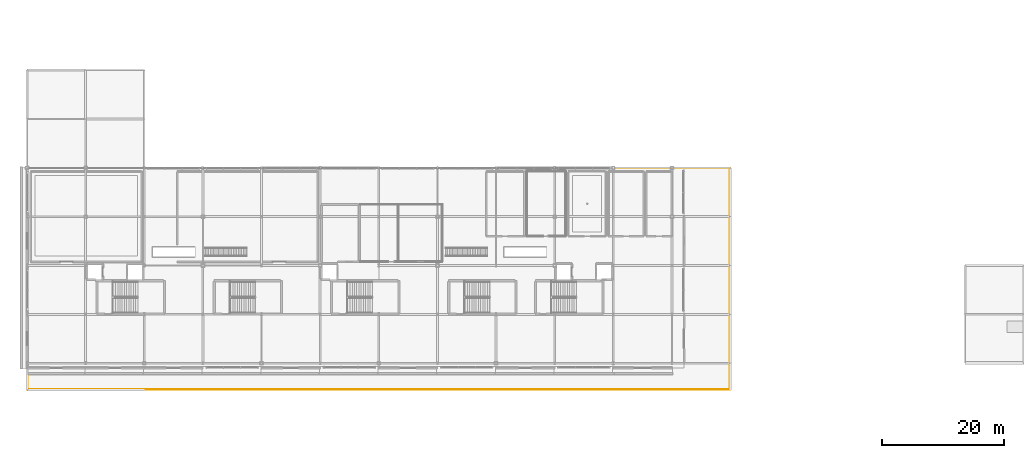
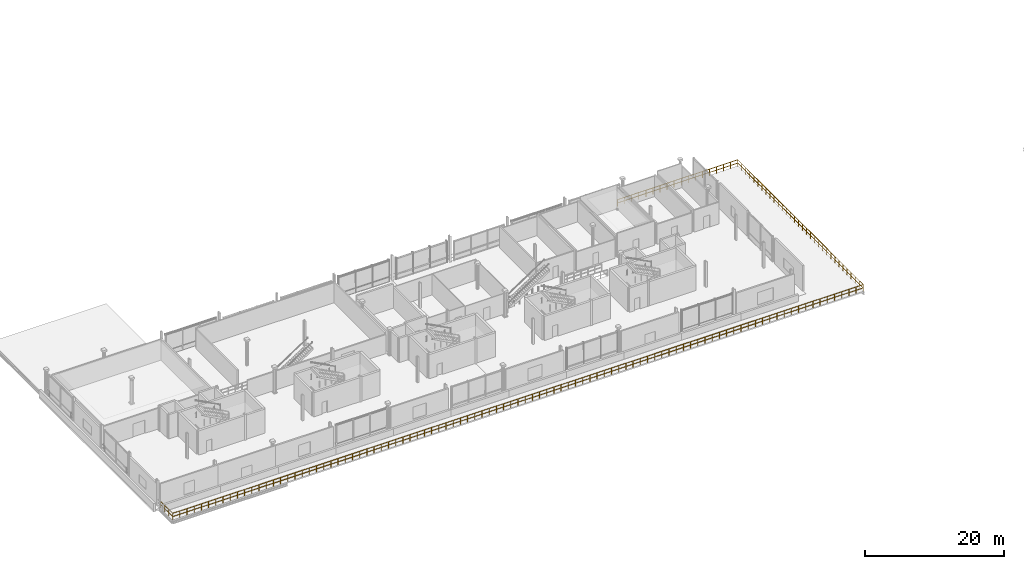
# One storey, part 31 of 36: 1 railing.
"""IFC4 building model written with IfcOpenShell, lengths in metres."""

from ifc_helpers import new_model, si_unit, direction, frame, origin, origin_2d, place, context, subcontext, project, spatial, circle, extrude, material, type_object, element, save


model = new_model("IFC4")

# Units and contexts
model_context = context("Model", 3, precision=1e-05, world=origin(), true_north=direction((0.0, 1.0)))
body_context = subcontext(model_context, "Body", "Model", "MODEL_VIEW")
ifc_project = project(units=[si_unit("LENGTHUNIT", "METRE"), si_unit("AREAUNIT", "SQUARE_METRE"), si_unit("VOLUMEUNIT", "CUBIC_METRE"), si_unit("PLANEANGLEUNIT", "RADIAN"), si_unit("MASSUNIT", "GRAM", prefix="KILO")], contexts=[model_context])

# Site, building, storey
site_placement = place(None, origin())
site = spatial("IfcSite", under=ifc_project, at=site_placement, CompositionType="ELEMENT")
building_placement = place(site_placement, origin())
building = spatial("IfcBuilding", under=site, at=building_placement, Name="Danafjord Basin Convention Centre", CompositionType="ELEMENT")
storey_placement = place(building_placement, frame((0.0, 0.0, 20.39990234375)))
storey = spatial("IfcBuildingStorey", under=building, at=storey_placement, Name="L04", CompositionType="ELEMENT", Elevation=20.39990234375)

# Railing
ifc_material = material(Name="Laminated structural glass and stainless steel", Category="steel")
railing_type = type_object("IfcRailingType", Name="RL-BAL-GLS", PredefinedType="BALUSTRADE", material=ifc_material)
railing_placement = place(storey_placement, frame((95.1201171875, 39.919921875, 0.0)))
element("IfcRailing", 1, at=railing_placement, inside=storey, type_object=railing_type, Name="L04 safety guard balustrade 287", PredefinedType="BALUSTRADE", context=body_context, shape_type="SweptSolid", body=[
    extrude(circle(Radius=0.02392578125, at=origin_2d()), frame((0.0, 0.0, 1.1259765625), z_axis=(1.0, 0.0, 0.0), x_axis=(0.0, 1.0, 0.0)), (0.0, 0.0, 1.0), 20.0),
    extrude(circle(Radius=0.02392578125, at=origin_2d()), frame((0.0, 0.0, 0.55078125), z_axis=(1.0, 0.0, 0.0), x_axis=(0.0, 1.0, 0.0)), (0.0, 0.0, 1.0), 20.0),
    extrude(circle(Radius=0.02392578125, at=origin_2d()), frame((20.0, 0.0, 1.1259765625), z_axis=(0.0, -1.0, 0.0), x_axis=(1.0, 0.0, 0.0)), (0.0, 0.0, 1.0), 36.239990234375),
    extrude(circle(Radius=0.02392578125, at=origin_2d()), frame((20.0, 0.0, 0.55078125), z_axis=(0.0, -1.0, 0.0), x_axis=(1.0, 0.0, 0.0)), (0.0, 0.0, 1.0), 36.239990234375),
    extrude(circle(Radius=0.02392578125, at=origin_2d()), frame((20.0, -36.239990234375, 1.1259765625), z_axis=(-1.0, 0.0, 0.0), x_axis=(0.0, -1.0, 0.0)), (0.0, 0.0, 1.0), 115.0400390625),
    extrude(circle(Radius=0.02392578125, at=origin_2d()), frame((20.0, -36.239990234375, 0.55078125), z_axis=(-1.0, 0.0, 0.0), x_axis=(0.0, -1.0, 0.0)), (0.0, 0.0, 1.0), 115.0400390625),
    extrude(circle(Radius=0.02392578125, at=origin_2d()), frame((-95.0400390625, -36.239990234375, 1.1259765625), z_axis=(0.0, 1.0, 0.0), x_axis=(-1.0, 0.0, 0.0)), (0.0, 0.0, 1.0), 3.445068359375),
    extrude(circle(Radius=0.02392578125, at=origin_2d()), frame((-95.0400390625, -36.239990234375, 0.55078125), z_axis=(0.0, 1.0, 0.0), x_axis=(-1.0, 0.0, 0.0)), (0.0, 0.0, 1.0), 3.445068359375),
    extrude(circle(Radius=0.02099609375, at=origin_2d()), origin(), (0.0, 0.0, 1.0), 1.099853515625),
    extrude(circle(Radius=0.02099609375, at=origin_2d()), frame((1.176513671875, 0.0, 0.0)), (0.0, 0.0, 1.0), 1.099853515625),
    extrude(circle(Radius=0.02099609375, at=origin_2d()), frame((2.35302734375, 0.0, 0.0)), (0.0, 0.0, 1.0), 1.099853515625),
    extrude(circle(Radius=0.02099609375, at=origin_2d()), frame((3.529296875, 0.0, 0.0)), (0.0, 0.0, 1.0), 1.099853515625),
    extrude(circle(Radius=0.02099609375, at=origin_2d()), frame((4.705810546875, 0.0, 0.0)), (0.0, 0.0, 1.0), 1.099853515625),
    extrude(circle(Radius=0.02099609375, at=origin_2d()), frame((5.88232421875, 0.0, 0.0)), (0.0, 0.0, 1.0), 1.099853515625),
    extrude(circle(Radius=0.02099609375, at=origin_2d()), frame((7.058837890625, 0.0, 0.0)), (0.0, 0.0, 1.0), 1.099853515625),
    extrude(circle(Radius=0.02099609375, at=origin_2d()), frame((8.2353515625, 0.0, 0.0)), (0.0, 0.0, 1.0), 1.099853515625),
    extrude(circle(Radius=0.02099609375, at=origin_2d()), frame((9.411865234375, 0.0, 0.0)), (0.0, 0.0, 1.0), 1.099853515625),
    extrude(circle(Radius=0.02099609375, at=origin_2d()), frame((10.588134765625, 0.0, 0.0)), (0.0, 0.0, 1.0), 1.099853515625),
    extrude(circle(Radius=0.02099609375, at=origin_2d()), frame((11.7646484375, 0.0, 0.0)), (0.0, 0.0, 1.0), 1.099853515625),
    extrude(circle(Radius=0.02099609375, at=origin_2d()), frame((12.941162109375, 0.0, 0.0)), (0.0, 0.0, 1.0), 1.099853515625),
    extrude(circle(Radius=0.02099609375, at=origin_2d()), frame((14.11767578125, 0.0, 0.0)), (0.0, 0.0, 1.0), 1.099853515625),
    extrude(circle(Radius=0.02099609375, at=origin_2d()), frame((15.294189453125, 0.0, 0.0)), (0.0, 0.0, 1.0), 1.099853515625),
    extrude(circle(Radius=0.02099609375, at=origin_2d()), frame((16.470703125, 0.0, 0.0)), (0.0, 0.0, 1.0), 1.099853515625),
    extrude(circle(Radius=0.02099609375, at=origin_2d()), frame((17.64697265625, 0.0, 0.0)), (0.0, 0.0, 1.0), 1.099853515625),
    extrude(circle(Radius=0.02099609375, at=origin_2d()), frame((18.823486328125, 0.0, 0.0)), (0.0, 0.0, 1.0), 1.099853515625),
    extrude(circle(Radius=0.02099609375, at=origin_2d()), frame((20.0, 0.0, 0.0)), (0.0, 0.0, 1.0), 1.099853515625),
    extrude(circle(Radius=0.02099609375, at=origin_2d()), frame((20.0, -1.1689453125, 0.0)), (0.0, 0.0, 1.0), 1.099853515625),
    extrude(circle(Radius=0.02099609375, at=origin_2d()), frame((20.0, -2.338134765625, 0.0)), (0.0, 0.0, 1.0), 1.099853515625),
    extrude(circle(Radius=0.02099609375, at=origin_2d()), frame((20.0, -3.507080078125, 0.0)), (0.0, 0.0, 1.0), 1.099853515625),
    extrude(circle(Radius=0.02099609375, at=origin_2d()), frame((20.0, -4.676025390625, 0.0)), (0.0, 0.0, 1.0), 1.099853515625),
    extrude(circle(Radius=0.02099609375, at=origin_2d()), frame((20.0, -5.84521484375, 0.0)), (0.0, 0.0, 1.0), 1.099853515625),
    extrude(circle(Radius=0.02099609375, at=origin_2d()), frame((20.0, -7.01416015625, 0.0)), (0.0, 0.0, 1.0), 1.099853515625),
    extrude(circle(Radius=0.02099609375, at=origin_2d()), frame((20.0, -8.18310546875, 0.0)), (0.0, 0.0, 1.0), 1.099853515625),
    extrude(circle(Radius=0.02099609375, at=origin_2d()), frame((20.0, -9.352294921875, 0.0)), (0.0, 0.0, 1.0), 1.099853515625),
    extrude(circle(Radius=0.02099609375, at=origin_2d()), frame((20.0, -10.521240234375, 0.0)), (0.0, 0.0, 1.0), 1.099853515625),
    extrude(circle(Radius=0.02099609375, at=origin_2d()), frame((20.0, -11.6904296875, 0.0)), (0.0, 0.0, 1.0), 1.099853515625),
    extrude(circle(Radius=0.02099609375, at=origin_2d()), frame((20.0, -12.859375, 0.0)), (0.0, 0.0, 1.0), 1.099853515625),
    extrude(circle(Radius=0.02099609375, at=origin_2d()), frame((20.0, -14.0283203125, 0.0)), (0.0, 0.0, 1.0), 1.099853515625),
    extrude(circle(Radius=0.02099609375, at=origin_2d()), frame((20.0, -15.197509765625, 0.0)), (0.0, 0.0, 1.0), 1.099853515625),
    extrude(circle(Radius=0.02099609375, at=origin_2d()), frame((20.0, -16.366455078125, 0.0)), (0.0, 0.0, 1.0), 1.099853515625),
    extrude(circle(Radius=0.02099609375, at=origin_2d()), frame((20.0, -17.535400390625, 0.0)), (0.0, 0.0, 1.0), 1.099853515625),
    extrude(circle(Radius=0.02099609375, at=origin_2d()), frame((20.0, -18.70458984375, 0.0)), (0.0, 0.0, 1.0), 1.099853515625),
    extrude(circle(Radius=0.02099609375, at=origin_2d()), frame((20.0, -19.87353515625, 0.0)), (0.0, 0.0, 1.0), 1.099853515625),
    extrude(circle(Radius=0.02099609375, at=origin_2d()), frame((20.0, -21.04248046875, 0.0)), (0.0, 0.0, 1.0), 1.099853515625),
    extrude(circle(Radius=0.02099609375, at=origin_2d()), frame((20.0, -22.211669921875, 0.0)), (0.0, 0.0, 1.0), 1.099853515625),
    extrude(circle(Radius=0.02099609375, at=origin_2d()), frame((20.0, -23.380615234375, 0.0)), (0.0, 0.0, 1.0), 1.099853515625),
    extrude(circle(Radius=0.02099609375, at=origin_2d()), frame((20.0, -24.549560546875, 0.0)), (0.0, 0.0, 1.0), 1.099853515625),
    extrude(circle(Radius=0.02099609375, at=origin_2d()), frame((20.0, -25.71875, 0.0)), (0.0, 0.0, 1.0), 1.099853515625),
    extrude(circle(Radius=0.02099609375, at=origin_2d()), frame((20.0, -26.8876953125, 0.0)), (0.0, 0.0, 1.0), 1.099853515625),
    extrude(circle(Radius=0.02099609375, at=origin_2d()), frame((20.0, -28.056884765625, 0.0)), (0.0, 0.0, 1.0), 1.099853515625),
    extrude(circle(Radius=0.02099609375, at=origin_2d()), frame((20.0, -29.225830078125, 0.0)), (0.0, 0.0, 1.0), 1.099853515625),
    extrude(circle(Radius=0.02099609375, at=origin_2d()), frame((20.0, -30.394775390625, 0.0)), (0.0, 0.0, 1.0), 1.099853515625),
    extrude(circle(Radius=0.02099609375, at=origin_2d()), frame((20.0, -31.56396484375, 0.0)), (0.0, 0.0, 1.0), 1.099853515625),
    extrude(circle(Radius=0.02099609375, at=origin_2d()), frame((20.0, -32.73291015625, 0.0)), (0.0, 0.0, 1.0), 1.099853515625),
    extrude(circle(Radius=0.02099609375, at=origin_2d()), frame((20.0, -33.90185546875, 0.0)), (0.0, 0.0, 1.0), 1.099853515625),
    extrude(circle(Radius=0.02099609375, at=origin_2d()), frame((20.0, -35.071044921875, 0.0)), (0.0, 0.0, 1.0), 1.099853515625),
    extrude(circle(Radius=0.02099609375, at=origin_2d()), frame((20.0, -36.239990234375, 0.0)), (0.0, 0.0, 1.0), 1.099853515625),
    extrude(circle(Radius=0.02099609375, at=origin_2d()), frame((18.8017578125, -36.239990234375, 0.0)), (0.0, 0.0, 1.0), 1.099853515625),
    extrude(circle(Radius=0.02099609375, at=origin_2d()), frame((17.603271484375, -36.239990234375, 0.0)), (0.0, 0.0, 1.0), 1.099853515625),
    extrude(circle(Radius=0.02099609375, at=origin_2d()), frame((16.405029296875, -36.239990234375, 0.0)), (0.0, 0.0, 1.0), 1.099853515625),
    extrude(circle(Radius=0.02099609375, at=origin_2d()), frame((15.20654296875, -36.239990234375, 0.0)), (0.0, 0.0, 1.0), 1.099853515625),
    extrude(circle(Radius=0.02099609375, at=origin_2d()), frame((14.00830078125, -36.239990234375, 0.0)), (0.0, 0.0, 1.0), 1.099853515625),
    extrude(circle(Radius=0.02099609375, at=origin_2d()), frame((12.81005859375, -36.239990234375, 0.0)), (0.0, 0.0, 1.0), 1.099853515625),
    extrude(circle(Radius=0.02099609375, at=origin_2d()), frame((11.611572265625, -36.239990234375, 0.0)), (0.0, 0.0, 1.0), 1.099853515625),
    extrude(circle(Radius=0.02099609375, at=origin_2d()), frame((10.413330078125, -36.239990234375, 0.0)), (0.0, 0.0, 1.0), 1.099853515625),
    extrude(circle(Radius=0.02099609375, at=origin_2d()), frame((9.215087890625, -36.239990234375, 0.0)), (0.0, 0.0, 1.0), 1.099853515625),
    extrude(circle(Radius=0.02099609375, at=origin_2d()), frame((8.0166015625, -36.239990234375, 0.0)), (0.0, 0.0, 1.0), 1.099853515625),
    extrude(circle(Radius=0.02099609375, at=origin_2d()), frame((6.818359375, -36.239990234375, 0.0)), (0.0, 0.0, 1.0), 1.099853515625),
    extrude(circle(Radius=0.02099609375, at=origin_2d()), frame((5.6201171875, -36.239990234375, 0.0)), (0.0, 0.0, 1.0), 1.099853515625),
    extrude(circle(Radius=0.02099609375, at=origin_2d()), frame((4.421630859375, -36.239990234375, 0.0)), (0.0, 0.0, 1.0), 1.099853515625),
    extrude(circle(Radius=0.02099609375, at=origin_2d()), frame((3.223388671875, -36.239990234375, 0.0)), (0.0, 0.0, 1.0), 1.099853515625),
    extrude(circle(Radius=0.02099609375, at=origin_2d()), frame((2.02490234375, -36.239990234375, 0.0)), (0.0, 0.0, 1.0), 1.099853515625),
    extrude(circle(Radius=0.02099609375, at=origin_2d()), frame((0.82666015625, -36.239990234375, 0.0)), (0.0, 0.0, 1.0), 1.099853515625),
    extrude(circle(Radius=0.02099609375, at=origin_2d()), frame((-0.37158203125, -36.239990234375, 0.0)), (0.0, 0.0, 1.0), 1.099853515625),
    extrude(circle(Radius=0.02099609375, at=origin_2d()), frame((-1.570068359375, -36.239990234375, 0.0)), (0.0, 0.0, 1.0), 1.099853515625),
    extrude(circle(Radius=0.02099609375, at=origin_2d()), frame((-2.768310546875, -36.239990234375, 0.0)), (0.0, 0.0, 1.0), 1.099853515625),
    extrude(circle(Radius=0.02099609375, at=origin_2d()), frame((-3.966796875, -36.239990234375, 0.0)), (0.0, 0.0, 1.0), 1.099853515625),
    extrude(circle(Radius=0.02099609375, at=origin_2d()), frame((-5.1650390625, -36.239990234375, 0.0)), (0.0, 0.0, 1.0), 1.099853515625),
    extrude(circle(Radius=0.02099609375, at=origin_2d()), frame((-6.36328125, -36.239990234375, 0.0)), (0.0, 0.0, 1.0), 1.099853515625),
    extrude(circle(Radius=0.02099609375, at=origin_2d()), frame((-7.561767578125, -36.239990234375, 0.0)), (0.0, 0.0, 1.0), 1.099853515625),
    extrude(circle(Radius=0.02099609375, at=origin_2d()), frame((-8.760009765625, -36.239990234375, 0.0)), (0.0, 0.0, 1.0), 1.099853515625),
    extrude(circle(Radius=0.02099609375, at=origin_2d()), frame((-9.958251953125, -36.239990234375, 0.0)), (0.0, 0.0, 1.0), 1.099853515625),
    extrude(circle(Radius=0.02099609375, at=origin_2d()), frame((-11.15673828125, -36.239990234375, 0.0)), (0.0, 0.0, 1.0), 1.099853515625),
    extrude(circle(Radius=0.02099609375, at=origin_2d()), frame((-12.35498046875, -36.239990234375, 0.0)), (0.0, 0.0, 1.0), 1.099853515625),
    extrude(circle(Radius=0.02099609375, at=origin_2d()), frame((-13.55322265625, -36.239990234375, 0.0)), (0.0, 0.0, 1.0), 1.099853515625),
    extrude(circle(Radius=0.02099609375, at=origin_2d()), frame((-14.751708984375, -36.239990234375, 0.0)), (0.0, 0.0, 1.0), 1.099853515625),
    extrude(circle(Radius=0.02099609375, at=origin_2d()), frame((-15.949951171875, -36.239990234375, 0.0)), (0.0, 0.0, 1.0), 1.099853515625),
    extrude(circle(Radius=0.02099609375, at=origin_2d()), frame((-17.1484375, -36.239990234375, 0.0)), (0.0, 0.0, 1.0), 1.099853515625),
    extrude(circle(Radius=0.02099609375, at=origin_2d()), frame((-18.3466796875, -36.239990234375, 0.0)), (0.0, 0.0, 1.0), 1.099853515625),
    extrude(circle(Radius=0.02099609375, at=origin_2d()), frame((-19.544921875, -36.239990234375, 0.0)), (0.0, 0.0, 1.0), 1.099853515625),
    extrude(circle(Radius=0.02099609375, at=origin_2d()), frame((-20.743408203125, -36.239990234375, 0.0)), (0.0, 0.0, 1.0), 1.099853515625),
    extrude(circle(Radius=0.02099609375, at=origin_2d()), frame((-21.941650390625, -36.239990234375, 0.0)), (0.0, 0.0, 1.0), 1.099853515625),
    extrude(circle(Radius=0.02099609375, at=origin_2d()), frame((-23.14013671875, -36.239990234375, 0.0)), (0.0, 0.0, 1.0), 1.099853515625),
    extrude(circle(Radius=0.02099609375, at=origin_2d()), frame((-24.33837890625, -36.239990234375, 0.0)), (0.0, 0.0, 1.0), 1.099853515625),
    extrude(circle(Radius=0.02099609375, at=origin_2d()), frame((-25.53662109375, -36.239990234375, 0.0)), (0.0, 0.0, 1.0), 1.099853515625),
    extrude(circle(Radius=0.02099609375, at=origin_2d()), frame((-26.735107421875, -36.239990234375, 0.0)), (0.0, 0.0, 1.0), 1.099853515625),
    extrude(circle(Radius=0.02099609375, at=origin_2d()), frame((-27.933349609375, -36.239990234375, 0.0)), (0.0, 0.0, 1.0), 1.099853515625),
    extrude(circle(Radius=0.02099609375, at=origin_2d()), frame((-29.131591796875, -36.239990234375, 0.0)), (0.0, 0.0, 1.0), 1.099853515625),
    extrude(circle(Radius=0.02099609375, at=origin_2d()), frame((-30.330078125, -36.239990234375, 0.0)), (0.0, 0.0, 1.0), 1.099853515625),
    extrude(circle(Radius=0.02099609375, at=origin_2d()), frame((-31.5283203125, -36.239990234375, 0.0)), (0.0, 0.0, 1.0), 1.099853515625),
    extrude(circle(Radius=0.02099609375, at=origin_2d()), frame((-32.7265625, -36.239990234375, 0.0)), (0.0, 0.0, 1.0), 1.099853515625),
    extrude(circle(Radius=0.02099609375, at=origin_2d()), frame((-33.925048828125, -36.239990234375, 0.0)), (0.0, 0.0, 1.0), 1.099853515625),
    extrude(circle(Radius=0.02099609375, at=origin_2d()), frame((-35.123291015625, -36.239990234375, 0.0)), (0.0, 0.0, 1.0), 1.099853515625),
    extrude(circle(Radius=0.02099609375, at=origin_2d()), frame((-36.32177734375, -36.239990234375, 0.0)), (0.0, 0.0, 1.0), 1.099853515625),
    extrude(circle(Radius=0.02099609375, at=origin_2d()), frame((-37.52001953125, -36.239990234375, 0.0)), (0.0, 0.0, 1.0), 1.099853515625),
    extrude(circle(Radius=0.02099609375, at=origin_2d()), frame((-38.71826171875, -36.239990234375, 0.0)), (0.0, 0.0, 1.0), 1.099853515625),
    extrude(circle(Radius=0.02099609375, at=origin_2d()), frame((-39.916748046875, -36.239990234375, 0.0)), (0.0, 0.0, 1.0), 1.099853515625),
    extrude(circle(Radius=0.02099609375, at=origin_2d()), frame((-41.114990234375, -36.239990234375, 0.0)), (0.0, 0.0, 1.0), 1.099853515625),
    extrude(circle(Radius=0.02099609375, at=origin_2d()), frame((-42.313232421875, -36.239990234375, 0.0)), (0.0, 0.0, 1.0), 1.099853515625),
    extrude(circle(Radius=0.02099609375, at=origin_2d()), frame((-43.51171875, -36.239990234375, 0.0)), (0.0, 0.0, 1.0), 1.099853515625),
    extrude(circle(Radius=0.02099609375, at=origin_2d()), frame((-44.7099609375, -36.239990234375, 0.0)), (0.0, 0.0, 1.0), 1.099853515625),
    extrude(circle(Radius=0.02099609375, at=origin_2d()), frame((-45.908447265625, -36.239990234375, 0.0)), (0.0, 0.0, 1.0), 1.099853515625),
    extrude(circle(Radius=0.02099609375, at=origin_2d()), frame((-47.106689453125, -36.239990234375, 0.0)), (0.0, 0.0, 1.0), 1.099853515625),
    extrude(circle(Radius=0.02099609375, at=origin_2d()), frame((-48.304931640625, -36.239990234375, 0.0)), (0.0, 0.0, 1.0), 1.099853515625),
    extrude(circle(Radius=0.02099609375, at=origin_2d()), frame((-49.50341796875, -36.239990234375, 0.0)), (0.0, 0.0, 1.0), 1.099853515625),
    extrude(circle(Radius=0.02099609375, at=origin_2d()), frame((-50.70166015625, -36.239990234375, 0.0)), (0.0, 0.0, 1.0), 1.099853515625),
    extrude(circle(Radius=0.02099609375, at=origin_2d()), frame((-51.89990234375, -36.239990234375, 0.0)), (0.0, 0.0, 1.0), 1.099853515625),
    extrude(circle(Radius=0.02099609375, at=origin_2d()), frame((-53.098388671875, -36.239990234375, 0.0)), (0.0, 0.0, 1.0), 1.099853515625),
    extrude(circle(Radius=0.02099609375, at=origin_2d()), frame((-54.296630859375, -36.239990234375, 0.0)), (0.0, 0.0, 1.0), 1.099853515625),
    extrude(circle(Radius=0.02099609375, at=origin_2d()), frame((-55.4951171875, -36.239990234375, 0.0)), (0.0, 0.0, 1.0), 1.099853515625),
    extrude(circle(Radius=0.02099609375, at=origin_2d()), frame((-56.693359375, -36.239990234375, 0.0)), (0.0, 0.0, 1.0), 1.099853515625),
    extrude(circle(Radius=0.02099609375, at=origin_2d()), frame((-57.8916015625, -36.239990234375, 0.0)), (0.0, 0.0, 1.0), 1.099853515625),
    extrude(circle(Radius=0.02099609375, at=origin_2d()), frame((-59.090087890625, -36.239990234375, 0.0)), (0.0, 0.0, 1.0), 1.099853515625),
    extrude(circle(Radius=0.02099609375, at=origin_2d()), frame((-60.288330078125, -36.239990234375, 0.0)), (0.0, 0.0, 1.0), 1.099853515625),
    extrude(circle(Radius=0.02099609375, at=origin_2d()), frame((-61.48681640625, -36.239990234375, 0.0)), (0.0, 0.0, 1.0), 1.099853515625),
    extrude(circle(Radius=0.02099609375, at=origin_2d()), frame((-62.68505859375, -36.239990234375, 0.0)), (0.0, 0.0, 1.0), 1.099853515625),
    extrude(circle(Radius=0.02099609375, at=origin_2d()), frame((-63.88330078125, -36.239990234375, 0.0)), (0.0, 0.0, 1.0), 1.099853515625),
    extrude(circle(Radius=0.02099609375, at=origin_2d()), frame((-65.081787109375, -36.239990234375, 0.0)), (0.0, 0.0, 1.0), 1.099853515625),
    extrude(circle(Radius=0.02099609375, at=origin_2d()), frame((-66.280029296875, -36.239990234375, 0.0)), (0.0, 0.0, 1.0), 1.099853515625),
    extrude(circle(Radius=0.02099609375, at=origin_2d()), frame((-67.478271484375, -36.239990234375, 0.0)), (0.0, 0.0, 1.0), 1.099853515625),
    extrude(circle(Radius=0.02099609375, at=origin_2d()), frame((-68.6767578125, -36.239990234375, 0.0)), (0.0, 0.0, 1.0), 1.099853515625),
    extrude(circle(Radius=0.02099609375, at=origin_2d()), frame((-69.875, -36.239990234375, 0.0)), (0.0, 0.0, 1.0), 1.099853515625),
    extrude(circle(Radius=0.02099609375, at=origin_2d()), frame((-71.0732421875, -36.239990234375, 0.0)), (0.0, 0.0, 1.0), 1.099853515625),
    extrude(circle(Radius=0.02099609375, at=origin_2d()), frame((-72.271728515625, -36.239990234375, 0.0)), (0.0, 0.0, 1.0), 1.099853515625),
    extrude(circle(Radius=0.02099609375, at=origin_2d()), frame((-73.469970703125, -36.239990234375, 0.0)), (0.0, 0.0, 1.0), 1.099853515625),
    extrude(circle(Radius=0.02099609375, at=origin_2d()), frame((-74.66845703125, -36.239990234375, 0.0)), (0.0, 0.0, 1.0), 1.099853515625),
    extrude(circle(Radius=0.02099609375, at=origin_2d()), frame((-75.86669921875, -36.239990234375, 0.0)), (0.0, 0.0, 1.0), 1.099853515625),
    extrude(circle(Radius=0.02099609375, at=origin_2d()), frame((-77.06494140625, -36.239990234375, 0.0)), (0.0, 0.0, 1.0), 1.099853515625),
    extrude(circle(Radius=0.02099609375, at=origin_2d()), frame((-78.263427734375, -36.239990234375, 0.0)), (0.0, 0.0, 1.0), 1.099853515625),
    extrude(circle(Radius=0.02099609375, at=origin_2d()), frame((-79.461669921875, -36.239990234375, 0.0)), (0.0, 0.0, 1.0), 1.099853515625),
    extrude(circle(Radius=0.02099609375, at=origin_2d()), frame((-80.66015625, -36.239990234375, 0.0)), (0.0, 0.0, 1.0), 1.099853515625),
    extrude(circle(Radius=0.02099609375, at=origin_2d()), frame((-81.8583984375, -36.239990234375, 0.0)), (0.0, 0.0, 1.0), 1.099853515625),
    extrude(circle(Radius=0.02099609375, at=origin_2d()), frame((-83.056640625, -36.239990234375, 0.0)), (0.0, 0.0, 1.0), 1.099853515625),
    extrude(circle(Radius=0.02099609375, at=origin_2d()), frame((-84.255126953125, -36.239990234375, 0.0)), (0.0, 0.0, 1.0), 1.099853515625),
    extrude(circle(Radius=0.02099609375, at=origin_2d()), frame((-85.453369140625, -36.239990234375, 0.0)), (0.0, 0.0, 1.0), 1.099853515625),
    extrude(circle(Radius=0.02099609375, at=origin_2d()), frame((-86.651611328125, -36.239990234375, 0.0)), (0.0, 0.0, 1.0), 1.099853515625),
    extrude(circle(Radius=0.02099609375, at=origin_2d()), frame((-87.85009765625, -36.239990234375, 0.0)), (0.0, 0.0, 1.0), 1.099853515625),
    extrude(circle(Radius=0.02099609375, at=origin_2d()), frame((-89.04833984375, -36.239990234375, 0.0)), (0.0, 0.0, 1.0), 1.099853515625),
    extrude(circle(Radius=0.02099609375, at=origin_2d()), frame((-90.24658203125, -36.239990234375, 0.0)), (0.0, 0.0, 1.0), 1.099853515625),
    extrude(circle(Radius=0.02099609375, at=origin_2d()), frame((-91.445068359375, -36.239990234375, 0.0)), (0.0, 0.0, 1.0), 1.099853515625),
    extrude(circle(Radius=0.02099609375, at=origin_2d()), frame((-92.643310546875, -36.239990234375, 0.0)), (0.0, 0.0, 1.0), 1.099853515625),
    extrude(circle(Radius=0.02099609375, at=origin_2d()), frame((-93.841796875, -36.239990234375, 0.0)), (0.0, 0.0, 1.0), 1.099853515625),
    extrude(circle(Radius=0.02099609375, at=origin_2d()), frame((-95.0400390625, -36.239990234375, 0.0)), (0.0, 0.0, 1.0), 1.099853515625),
    extrude(circle(Radius=0.02099609375, at=origin_2d()), frame((-95.0400390625, -35.091552734375, 0.0)), (0.0, 0.0, 1.0), 1.099853515625),
    extrude(circle(Radius=0.02099609375, at=origin_2d()), frame((-95.0400390625, -33.943359375, 0.0)), (0.0, 0.0, 1.0), 1.099853515625),
    extrude(circle(Radius=0.02099609375, at=origin_2d()), frame((-95.0400390625, -32.794921875, 0.0)), (0.0, 0.0, 1.0), 1.099853515625),
])

save(model, "model.ifc")
